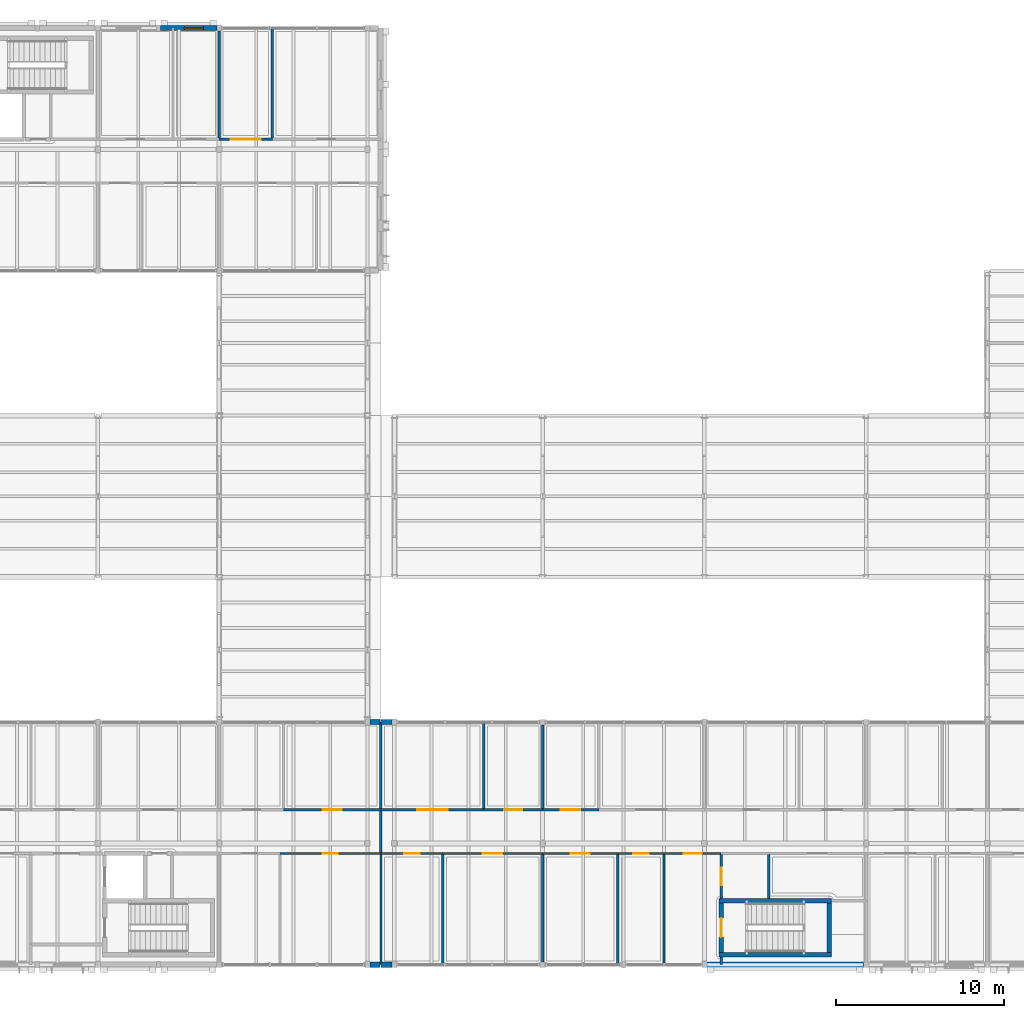
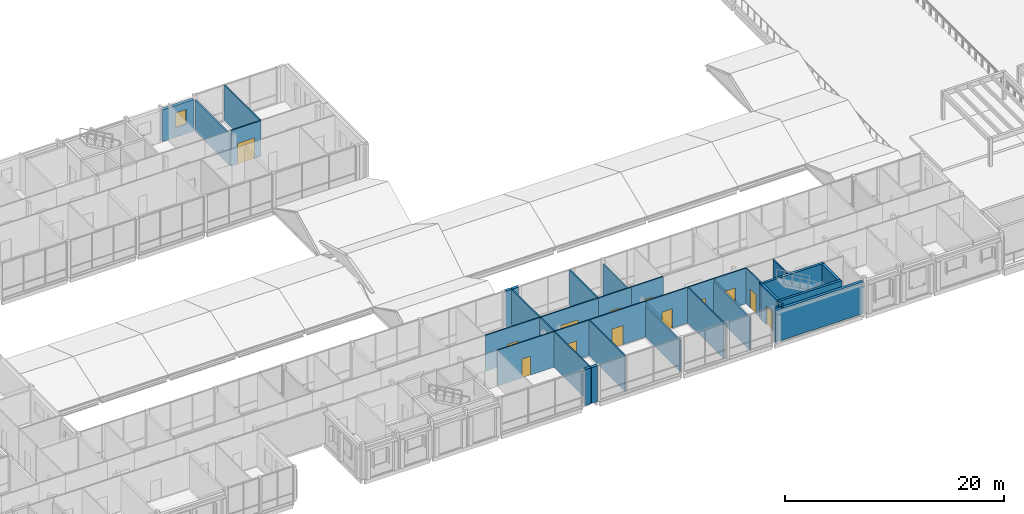
# One storey, part 89 of 115: 35 walls, 13 doors, 1 window, 14 openings.
"""IFC4 building model written with IfcOpenShell, lengths in metres."""

from ifc_helpers import new_model, si_unit, direction, frame, frame_2d, origin, place, context, subcontext, project, spatial, rectangle, extrude, material, layer, layer_set, type_object, element, fill, save


model = new_model("IFC4")

# Units and contexts
model_context = context("Model", 3, precision=1e-05, world=origin(), true_north=direction((0.0, 1.0)))
body_context = subcontext(model_context, "Body", "Model", "MODEL_VIEW")
ifc_project = project(units=[si_unit("LENGTHUNIT", "METRE"), si_unit("AREAUNIT", "SQUARE_METRE"), si_unit("VOLUMEUNIT", "CUBIC_METRE"), si_unit("PLANEANGLEUNIT", "RADIAN"), si_unit("MASSUNIT", "GRAM", prefix="KILO")], contexts=[model_context])

# Site, building, storey
site_placement = place(None, origin())
site = spatial("IfcSite", under=ifc_project, at=site_placement, CompositionType="ELEMENT")
building_placement = place(site_placement, origin())
building = spatial("IfcBuilding", under=site, at=building_placement, Name="Hawrajan Terrace Health Centre", CompositionType="ELEMENT")
storey_placement = place(building_placement, frame((0.0, 0.0, 9.0)))
storey = spatial("IfcBuildingStorey", under=building, at=storey_placement, Name="L02", CompositionType="ELEMENT", Elevation=9.0)

# Wall, opening, window
ifc_material_1 = material(Name="Precast concrete C40/50", Category="concrete")
ifc_layer_1 = layer(ifc_material_1, 0.31005859375)
ifc_layer_set_1 = layer_set([ifc_layer_1], Name="Precast concrete C40/50")
wall_type_1 = type_object("IfcWallType", Name="ArtDecoFacadeWall_310", PredefinedType="SOLIDWALL", material=ifc_layer_set_1)
wall_1_placement = place(storey_placement, frame((58.719970703125, 59.800048828125, 0.0), z_axis=(0.0, 0.0, 1.0), x_axis=(1.0, 0.0, 0.0)))
wall_1 = element("IfcWall", 1, at=wall_1_placement, inside=storey, type_object=wall_type_1, Name="Exterior wall EW-L02-H07-07-2", PredefinedType="SOLIDWALL", context=body_context, shape_type="SweptSolid", body=[
    extrude(rectangle(XDim=3.340087890625, YDim=0.31005859375, at=frame_2d((1.669921875, 0.0))), origin(), (0.0, 0.0, 1.0), 3.52001953125),
])
opening_1_placement = place(wall_1_placement, frame((1.41845703125, 0.0, 1.050048828125)))
opening_1 = element("IfcOpeningElement", 2, at=opening_1_placement, cuts=wall_1, Name="Opening W-L02-150", PredefinedType="OPENING", context=body_context, shape_type="SweptSolid", body=[
    extrude(rectangle(XDim=1.1201171875, YDim=1.64990234375, at=frame_2d((0.56005859375, 0.824951171875))), frame((0.0, 0.1650390625, 0.0), z_axis=(0.0, -1.0, 0.0), x_axis=(1.0, 0.0, 0.0)), (0.0, 0.0, 1.0), 0.330078125),
])
ifc_material_2 = material(Name="Anodized bronze frame with double low-E glazing", Category="glass")
window_type = type_object("IfcWindowType", Name="FacadeWindow_1120x1650", PartitioningType="SINGLE_PANEL", PredefinedType="WINDOW", material=ifc_material_2)
window_placement = place(opening_1_placement, origin())
window = element("IfcWindow", 3, at=window_placement, inside=storey, type_object=window_type, Name="Window W-L02-150", OverallHeight=1.64990234375, OverallWidth=1.1201171875, PartitioningType="SINGLE_PANEL", PredefinedType="WINDOW", context=body_context, shape_type="SweptSolid", body=[
    extrude(rectangle(XDim=1.1201171875, YDim=1.64990234375, at=frame_2d((0.56005859375, 0.824951171875))), frame((0.0, 0.030029296875, 0.0), z_axis=(0.0, -1.0, 0.0), x_axis=(1.0, 0.0, 0.0)), (0.0, 0.0, 1.0), 0.06005859375),
])
fill(opening_1, window)

# Walls
wall_2_placement = place(storey_placement, frame((71.139892578125, 4.199951171875, 0.0), z_axis=(0.0, 0.0, 1.0), x_axis=(1.0, 0.0, 0.0)))
element("IfcWall", 4, at=wall_2_placement, inside=storey, type_object=wall_type_1, Name="Exterior wall EW-L02-H08-00-2", PredefinedType="SOLIDWALL", context=body_context, shape_type="SweptSolid", body=[
    extrude(rectangle(XDim=0.614990234375, YDim=0.31005859375, at=frame_2d((0.3076171875, 0.0))), origin(), (0.0, 0.0, 1.0), 3.989990234375),
])
wall_3_placement = place(storey_placement, frame((71.139892578125, 18.60009765625, 0.0), z_axis=(0.0, 0.0, 1.0), x_axis=(1.0, 0.0, 0.0)))
element("IfcWall", 5, at=wall_3_placement, inside=storey, type_object=wall_type_1, Name="Exterior wall EW-L02-H08-02-2", PredefinedType="SOLIDWALL", context=body_context, shape_type="SweptSolid", body=[
    extrude(rectangle(XDim=0.59521484375, YDim=0.31005859375, at=frame_2d((0.297607421875, 0.0))), origin(), (0.0, 0.0, 1.0), 3.989990234375),
])
for number, where, z_axis, x_axis, name in (
    (6, (71.804931640625, 4.199951171875, 0.0), (0.0, 0.0, 1.0), (1.0, 0.0, 0.0), "Exterior wall EW-L02-H09-00-1"),
    (7, (71.804931640625, 18.60009765625, 0.0), (0.0, 0.0, 1.0), (1.0, 0.0, 0.0), "Exterior wall EW-L02-H09-02-1"),
):
    element("IfcWall", number, at=place(storey_placement, frame(where, z_axis=z_axis, x_axis=x_axis)), inside=storey, type_object=wall_type_1, Name=name, PredefinedType="SOLIDWALL", context=body_context, shape_type="SweptSolid", body=[
        extrude(rectangle(XDim=0.655029296875, YDim=0.31005859375, at=frame_2d((0.32763671875, 0.0))), origin(), (0.0, 0.0, 1.0), 3.989990234375),
    ])
wall_4_placement = place(storey_placement, frame((91.139892578125, 4.199951171875, 0.0), z_axis=(0.0, 0.0, 1.0), x_axis=(1.0, 0.0, 0.0)))
element("IfcWall", 8, at=wall_4_placement, inside=storey, type_object=wall_type_1, Name="Exterior wall EW-L02-H11-00-1", PredefinedType="SOLIDWALL", context=body_context, shape_type="SweptSolid", body=[
    extrude(rectangle(XDim=9.300048828125, YDim=0.31005859375, at=frame_2d((4.64990234375, 0.0))), origin(), (0.0, 0.0, 1.0), 3.530029296875),
])
ifc_material_3 = material(Name="Gypsum board on acoustic stud framing")
ifc_layer_2 = layer(ifc_material_3, 0.139892578125)
ifc_layer_set_2 = layer_set([ifc_layer_2], Name="Gypsum board on acoustic stud framing")
wall_type_2 = type_object("IfcWallType", Name="ClinicalAcousticWall_140", PredefinedType="PARTITIONING", material=ifc_layer_set_2)
wall_5_placement = place(storey_placement, frame((62.199951171875, 53.27001953125, 0.0), z_axis=(0.0, 0.0, 1.0), x_axis=(0.0, 1.0, 0.0)))
element("IfcWall", 9, at=wall_5_placement, inside=storey, type_object=wall_type_2, Name="Interior wall IW-L02-1113", PredefinedType="PARTITIONING", context=body_context, shape_type="SweptSolid", body=[
    extrude(rectangle(XDim=6.35009765625, YDim=0.139892578125, at=frame_2d((3.175048828125, 0.0))), origin(), (0.0, 0.0, 1.0), 3.52001953125),
])

# Wall, opening, door
wall_6_placement = place(storey_placement, frame((62.199951171875, 53.199951171875, 0.0), z_axis=(0.0, 0.0, 1.0), x_axis=(1.0, 0.0, 0.0)))
wall_6 = element("IfcWall", 10, at=wall_6_placement, inside=storey, type_object=wall_type_2, Name="Interior wall IW-L02-1114", PredefinedType="PARTITIONING", context=body_context, shape_type="SweptSolid", body=[
    extrude(rectangle(XDim=3.156982421875, YDim=0.139892578125, at=frame_2d((1.57861328125, 0.0))), origin(), (0.0, 0.0, 1.0), 3.9599609375),
])
opening_2_placement = place(wall_6_placement, frame((0.678466796875, 0.0, 0.0)))
opening_2 = element("IfcOpeningElement", 11, at=opening_2_placement, cuts=wall_6, Name="Opening D-L02-503", PredefinedType="OPENING", context=body_context, shape_type="SweptSolid", body=[
    extrude(rectangle(XDim=1.800048828125, YDim=2.300048828125, at=frame_2d((0.89990234375, 1.14990234375))), frame((0.0, 0.079833984375, 0.0), z_axis=(0.0, -1.0, 0.0), x_axis=(1.0, 0.0, 0.0)), (0.0, 0.0, 1.0), 0.159912109375),
])
ifc_material_4 = material(Name="Hardwood acoustic clinical door leaf and frame", Category="wood")
door_type_1 = type_object("IfcDoorType", Name="EducationHallDoor_1800x2300", OperationType="DOUBLE_DOOR_SINGLE_SWING", PredefinedType="DOOR", material=ifc_material_4)
door_1_placement = place(opening_2_placement, origin())
door_1 = element("IfcDoor", 12, at=door_1_placement, inside=storey, type_object=door_type_1, Name="Interior door D-L02-503", OperationType="DOUBLE_DOOR_SINGLE_SWING", OverallHeight=2.300048828125, OverallWidth=1.800048828125, PredefinedType="DOOR", context=body_context, shape_type="SweptSolid", body=[
    extrude(rectangle(XDim=1.800048828125, YDim=2.300048828125, at=frame_2d((0.89990234375, 1.14990234375))), frame((0.0, 0.02490234375, 0.0), z_axis=(0.0, -1.0, 0.0), x_axis=(1.0, 0.0, 0.0)), (0.0, 0.0, 1.0), 0.050048828125),
])
fill(opening_2, door_1)

# Wall
wall_7_placement = place(storey_placement, frame((65.35693359375, 53.27001953125, 0.0), z_axis=(0.0, 0.0, 1.0), x_axis=(0.0, 1.0, 0.0)))
element("IfcWall", 13, at=wall_7_placement, inside=storey, type_object=wall_type_2, Name="Interior wall IW-L02-1115", PredefinedType="PARTITIONING", context=body_context, shape_type="SweptSolid", body=[
    extrude(rectangle(XDim=6.530029296875, YDim=0.139892578125, at=frame_2d((3.26513671875, 0.0))), origin(), (0.0, 0.0, 1.0), 3.9599609375),
])

# Wall, opening, door
wall_8_placement = place(storey_placement, frame((66.01904296875, 13.39990234375, 0.0), z_axis=(0.0, 0.0, 1.0), x_axis=(1.0, 0.0, 0.0)))
wall_8 = element("IfcWall", 14, at=wall_8_placement, inside=storey, type_object=wall_type_2, Name="Interior wall IW-L02-1120", PredefinedType="PARTITIONING", context=body_context, shape_type="SweptSolid", body=[
    extrude(rectangle(XDim=5.77587890625, YDim=0.139892578125, at=frame_2d((2.887939453125, 0.0))), origin(), (0.0, 0.0, 1.0), 3.9599609375),
])
opening_3_placement = place(wall_8_placement, frame((2.327880859375, 0.0, 0.0)))
opening_3 = element("IfcOpeningElement", 15, at=opening_3_placement, cuts=wall_8, Name="Opening D-L02-510", PredefinedType="OPENING", context=body_context, shape_type="SweptSolid", body=[
    extrude(rectangle(XDim=1.1201171875, YDim=2.14990234375, at=frame_2d((0.56005859375, 1.074951171875))), frame((0.0, 0.079833984375, 0.0), z_axis=(0.0, -1.0, 0.0), x_axis=(1.0, 0.0, 0.0)), (0.0, 0.0, 1.0), 0.159912109375),
])
door_type_2 = type_object("IfcDoorType", Name="DentalSurgeryDoor_1120x2150", OperationType="NOTDEFINED", PredefinedType="DOOR", material=ifc_material_4)
door_2_placement = place(opening_3_placement, origin())
door_2 = element("IfcDoor", 16, at=door_2_placement, inside=storey, type_object=door_type_2, Name="Interior door D-L02-510", OperationType="SINGLE_SWING_RIGHT", OverallHeight=2.14990234375, OverallWidth=1.1201171875, PredefinedType="DOOR", context=body_context, shape_type="SweptSolid", body=[
    extrude(rectangle(XDim=1.1201171875, YDim=2.14990234375, at=frame_2d((0.56005859375, 1.074951171875))), frame((0.0, 0.02490234375, 0.0), z_axis=(0.0, -1.0, 0.0), x_axis=(1.0, 0.0, 0.0)), (0.0, 0.0, 1.0), 0.050048828125),
])
fill(opening_3, door_2)

wall_9_placement = place(storey_placement, frame((71.804931640625, 10.800048828125, 0.0), z_axis=(0.0, 0.0, 1.0), x_axis=(1.0, 0.0, 0.0)))
wall_9 = element("IfcWall", 17, at=wall_9_placement, inside=storey, type_object=wall_type_2, Name="Interior wall IW-L02-1123", PredefinedType="PARTITIONING", context=body_context, shape_type="SweptSolid", body=[
    extrude(rectangle(XDim=3.656005859375, YDim=0.139892578125, at=frame_2d((1.828125, 0.0))), origin(), (0.0, 0.0, 1.0), 3.9599609375),
])
opening_4_placement = place(wall_9_placement, frame((1.367919921875, 0.0, 0.0)))
opening_4 = element("IfcOpeningElement", 18, at=opening_4_placement, cuts=wall_9, Name="Opening D-L02-511", PredefinedType="OPENING", context=body_context, shape_type="SweptSolid", body=[
    extrude(rectangle(XDim=0.919921875, YDim=2.10009765625, at=frame_2d((0.4599609375, 1.050048828125))), frame((0.0, 0.079833984375, 0.0), z_axis=(0.0, -1.0, 0.0), x_axis=(1.0, 0.0, 0.0)), (0.0, 0.0, 1.0), 0.159912109375),
])
door_type_3 = type_object("IfcDoorType", Name="StaffOfficeDoor_920x2100", OperationType="NOTDEFINED", PredefinedType="DOOR", material=ifc_material_4)
door_3_placement = place(opening_4_placement, origin())
door_3 = element("IfcDoor", 19, at=door_3_placement, inside=storey, type_object=door_type_3, Name="Interior door D-L02-511", OperationType="SINGLE_SWING_LEFT", OverallHeight=2.10009765625, OverallWidth=0.919921875, PredefinedType="DOOR", context=body_context, shape_type="SweptSolid", body=[
    extrude(rectangle(XDim=0.919921875, YDim=2.10009765625, at=frame_2d((0.4599609375, 1.050048828125))), frame((0.0, 0.02490234375, 0.0), z_axis=(0.0, -1.0, 0.0), x_axis=(1.0, 0.0, 0.0)), (0.0, 0.0, 1.0), 0.050048828125),
])
fill(opening_4, door_3)

wall_10_placement = place(storey_placement, frame((71.804931640625, 13.39990234375, 0.0), z_axis=(0.0, 0.0, 1.0), x_axis=(1.0, 0.0, 0.0)))
wall_10 = element("IfcWall", 20, at=wall_10_placement, inside=storey, type_object=wall_type_2, Name="Interior wall IW-L02-1124", PredefinedType="PARTITIONING", context=body_context, shape_type="SweptSolid", body=[
    extrude(rectangle(XDim=6.10205078125, YDim=0.139892578125, at=frame_2d((3.051025390625, 0.0))), origin(), (0.0, 0.0, 1.0), 3.9599609375),
])
opening_5_placement = place(wall_10_placement, frame((2.15087890625, 0.0, 0.0)))
opening_5 = element("IfcOpeningElement", 21, at=opening_5_placement, cuts=wall_10, Name="Opening D-L02-513", PredefinedType="OPENING", context=body_context, shape_type="SweptSolid", body=[
    extrude(rectangle(XDim=1.800048828125, YDim=2.300048828125, at=frame_2d((0.89990234375, 1.14990234375))), frame((0.0, 0.079833984375, 0.0), z_axis=(0.0, -1.0, 0.0), x_axis=(1.0, 0.0, 0.0)), (0.0, 0.0, 1.0), 0.159912109375),
])
door_4_placement = place(opening_5_placement, origin())
door_4 = element("IfcDoor", 22, at=door_4_placement, inside=storey, type_object=door_type_1, Name="Interior door D-L02-513", OperationType="DOUBLE_DOOR_SINGLE_SWING", OverallHeight=2.300048828125, OverallWidth=1.800048828125, PredefinedType="DOOR", context=body_context, shape_type="SweptSolid", body=[
    extrude(rectangle(XDim=1.800048828125, YDim=2.300048828125, at=frame_2d((0.89990234375, 1.14990234375))), frame((0.0, 0.02490234375, 0.0), z_axis=(0.0, -1.0, 0.0), x_axis=(1.0, 0.0, 0.0)), (0.0, 0.0, 1.0), 0.050048828125),
])
fill(opening_5, door_4)

# Wall
wall_11_placement = place(storey_placement, frame((75.4609375, 4.199951171875, 0.0), z_axis=(0.0, 0.0, 1.0), x_axis=(0.0, 1.0, 0.0)))
element("IfcWall", 23, at=wall_11_placement, inside=storey, type_object=wall_type_2, Name="Interior wall IW-L02-1125", PredefinedType="PARTITIONING", context=body_context, shape_type="SweptSolid", body=[
    extrude(rectangle(XDim=6.530029296875, YDim=0.139892578125, at=frame_2d((3.26513671875, 0.0))), origin(), (0.0, 0.0, 1.0), 3.9599609375),
])

# Wall, opening, door
wall_12_placement = place(storey_placement, frame((75.4609375, 10.800048828125, 0.0), z_axis=(0.0, 0.0, 1.0), x_axis=(1.0, 0.0, 0.0)))
wall_12 = element("IfcWall", 24, at=wall_12_placement, inside=storey, type_object=wall_type_2, Name="Interior wall IW-L02-1126", PredefinedType="PARTITIONING", context=body_context, shape_type="SweptSolid", body=[
    extrude(rectangle(XDim=5.93896484375, YDim=0.139892578125, at=frame_2d((2.969482421875, 0.0))), origin(), (0.0, 0.0, 1.0), 3.9599609375),
])
opening_6_placement = place(wall_12_placement, frame((2.389404296875, 0.0, 0.0)))
opening_6 = element("IfcOpeningElement", 25, at=opening_6_placement, cuts=wall_12, Name="Opening D-L02-512", PredefinedType="OPENING", context=body_context, shape_type="SweptSolid", body=[
    extrude(rectangle(XDim=1.159912109375, YDim=2.10009765625, at=frame_2d((0.580078125, 1.050048828125))), frame((0.0, 0.079833984375, 0.0), z_axis=(0.0, -1.0, 0.0), x_axis=(1.0, 0.0, 0.0)), (0.0, 0.0, 1.0), 0.159912109375),
])
door_type_4 = type_object("IfcDoorType", Name="ConsultDoor_1160x2100", OperationType="NOTDEFINED", PredefinedType="DOOR", material=ifc_material_4)
door_5_placement = place(opening_6_placement, origin())
door_5 = element("IfcDoor", 26, at=door_5_placement, inside=storey, type_object=door_type_4, Name="Interior door D-L02-512", OperationType="SINGLE_SWING_RIGHT", OverallHeight=2.10009765625, OverallWidth=1.159912109375, PredefinedType="DOOR", context=body_context, shape_type="SweptSolid", body=[
    extrude(rectangle(XDim=1.159912109375, YDim=2.10009765625, at=frame_2d((0.580078125, 1.050048828125))), frame((0.0, 0.02490234375, 0.0), z_axis=(0.0, -1.0, 0.0), x_axis=(1.0, 0.0, 0.0)), (0.0, 0.0, 1.0), 0.050048828125),
])
fill(opening_6, door_5)

# Wall
wall_13_placement = place(storey_placement, frame((77.906982421875, 13.469970703125, 0.0), z_axis=(0.0, 0.0, 1.0), x_axis=(0.0, 1.0, 0.0)))
element("IfcWall", 27, at=wall_13_placement, inside=storey, type_object=wall_type_2, Name="Interior wall IW-L02-1127", PredefinedType="PARTITIONING", context=body_context, shape_type="SweptSolid", body=[
    extrude(rectangle(XDim=5.130126953125, YDim=0.139892578125, at=frame_2d((2.56494140625, 0.0))), origin(), (0.0, 0.0, 1.0), 3.9599609375),
])

# Wall, opening, door
wall_14_placement = place(storey_placement, frame((77.906982421875, 13.39990234375, 0.0), z_axis=(0.0, 0.0, 1.0), x_axis=(1.0, 0.0, 0.0)))
wall_14 = element("IfcWall", 28, at=wall_14_placement, inside=storey, type_object=wall_type_2, Name="Interior wall IW-L02-1128", PredefinedType="PARTITIONING", context=body_context, shape_type="SweptSolid", body=[
    extrude(rectangle(XDim=3.492919921875, YDim=0.139892578125, at=frame_2d((1.74658203125, 0.0))), origin(), (0.0, 0.0, 1.0), 3.9599609375),
])
opening_7_placement = place(wall_14_placement, frame((1.2265625, 0.0, 0.0)))
opening_7 = element("IfcOpeningElement", 29, at=opening_7_placement, cuts=wall_14, Name="Opening D-L02-514", PredefinedType="OPENING", context=body_context, shape_type="SweptSolid", body=[
    extrude(rectangle(XDim=1.0400390625, YDim=2.10009765625, at=frame_2d((0.52001953125, 1.050048828125))), frame((0.0, 0.079833984375, 0.0), z_axis=(0.0, -1.0, 0.0), x_axis=(1.0, 0.0, 0.0)), (0.0, 0.0, 1.0), 0.159912109375),
])
door_type_5 = type_object("IfcDoorType", Name="ConsultDoor_1040x2100", OperationType="NOTDEFINED", PredefinedType="DOOR", material=ifc_material_4)
door_6_placement = place(opening_7_placement, origin())
door_6 = element("IfcDoor", 30, at=door_6_placement, inside=storey, type_object=door_type_5, Name="Interior door D-L02-514", OperationType="SINGLE_SWING_RIGHT", OverallHeight=2.10009765625, OverallWidth=1.0400390625, PredefinedType="DOOR", context=body_context, shape_type="SweptSolid", body=[
    extrude(rectangle(XDim=1.0400390625, YDim=2.10009765625, at=frame_2d((0.52001953125, 1.050048828125))), frame((0.0, 0.02490234375, 0.0), z_axis=(0.0, -1.0, 0.0), x_axis=(1.0, 0.0, 0.0)), (0.0, 0.0, 1.0), 0.050048828125),
])
fill(opening_7, door_6)

# Wall
wall_15_placement = place(storey_placement, frame((81.39990234375, 4.360107421875, 0.0), z_axis=(0.0, 0.0, 1.0), x_axis=(0.0, 1.0, 0.0)))
element("IfcWall", 31, at=wall_15_placement, inside=storey, type_object=wall_type_2, Name="Interior wall IW-L02-1129", PredefinedType="PARTITIONING", context=body_context, shape_type="SweptSolid", body=[
    extrude(rectangle(XDim=6.369873046875, YDim=0.139892578125, at=frame_2d((3.18505859375, 0.0))), origin(), (0.0, 0.0, 1.0), 3.469970703125),
])

# Wall, opening, door
wall_16_placement = place(storey_placement, frame((81.39990234375, 10.800048828125, 0.0), z_axis=(0.0, 0.0, 1.0), x_axis=(1.0, 0.0, 0.0)))
wall_16 = element("IfcWall", 32, at=wall_16_placement, inside=storey, type_object=wall_type_2, Name="Interior wall IW-L02-1130", PredefinedType="PARTITIONING", context=body_context, shape_type="SweptSolid", body=[
    extrude(rectangle(XDim=4.45703125, YDim=0.139892578125, at=frame_2d((2.228515625, 0.0))), origin(), (0.0, 0.0, 1.0), 3.9599609375),
])
opening_8_placement = place(wall_16_placement, frame((1.66845703125, 0.0, 0.0)))
opening_8 = element("IfcOpeningElement", 33, at=opening_8_placement, cuts=wall_16, Name="Opening D-L02-515", PredefinedType="OPENING", context=body_context, shape_type="SweptSolid", body=[
    extrude(rectangle(XDim=1.1201171875, YDim=2.14990234375, at=frame_2d((0.56005859375, 1.074951171875))), frame((0.0, 0.079833984375, 0.0), z_axis=(0.0, -1.0, 0.0), x_axis=(1.0, 0.0, 0.0)), (0.0, 0.0, 1.0), 0.159912109375),
])
door_7_placement = place(opening_8_placement, origin())
door_7 = element("IfcDoor", 34, at=door_7_placement, inside=storey, type_object=door_type_2, Name="Interior door D-L02-515", OperationType="SINGLE_SWING_LEFT", OverallHeight=2.14990234375, OverallWidth=1.1201171875, PredefinedType="DOOR", context=body_context, shape_type="SweptSolid", body=[
    extrude(rectangle(XDim=1.1201171875, YDim=2.14990234375, at=frame_2d((0.56005859375, 1.074951171875))), frame((0.0, 0.02490234375, 0.0), z_axis=(0.0, -1.0, 0.0), x_axis=(1.0, 0.0, 0.0)), (0.0, 0.0, 1.0), 0.050048828125),
])
fill(opening_8, door_7)

# Wall
wall_17_placement = place(storey_placement, frame((81.39990234375, 13.469970703125, 0.0), z_axis=(0.0, 0.0, 1.0), x_axis=(0.0, 1.0, 0.0)))
element("IfcWall", 35, at=wall_17_placement, inside=storey, type_object=wall_type_2, Name="Interior wall IW-L02-1131", PredefinedType="PARTITIONING", context=body_context, shape_type="SweptSolid", body=[
    extrude(rectangle(XDim=4.969970703125, YDim=0.139892578125, at=frame_2d((2.48486328125, 0.0))), origin(), (0.0, 0.0, 1.0), 3.469970703125),
])

# Wall, opening, door
wall_18_placement = place(storey_placement, frame((81.39990234375, 13.39990234375, 0.0), z_axis=(0.0, 0.0, 1.0), x_axis=(1.0, 0.0, 0.0)))
wall_18 = element("IfcWall", 36, at=wall_18_placement, inside=storey, type_object=wall_type_2, Name="Interior wall IW-L02-1132", PredefinedType="PARTITIONING", context=body_context, shape_type="SweptSolid", body=[
    extrude(rectangle(XDim=3.3310546875, YDim=0.139892578125, at=frame_2d((1.66552734375, 0.0))), origin(), (0.0, 0.0, 1.0), 3.9599609375),
])
opening_9_placement = place(wall_18_placement, frame((1.08544921875, 0.0, 0.0)))
opening_9 = element("IfcOpeningElement", 37, at=opening_9_placement, cuts=wall_18, Name="Opening D-L02-517", PredefinedType="OPENING", context=body_context, shape_type="SweptSolid", body=[
    extrude(rectangle(XDim=1.159912109375, YDim=2.10009765625, at=frame_2d((0.580078125, 1.050048828125))), frame((0.0, 0.079833984375, 0.0), z_axis=(0.0, -1.0, 0.0), x_axis=(1.0, 0.0, 0.0)), (0.0, 0.0, 1.0), 0.159912109375),
])
door_8_placement = place(opening_9_placement, origin())
door_8 = element("IfcDoor", 38, at=door_8_placement, inside=storey, type_object=door_type_4, Name="Interior door D-L02-517", OperationType="SINGLE_SWING_LEFT", OverallHeight=2.10009765625, OverallWidth=1.159912109375, PredefinedType="DOOR", context=body_context, shape_type="SweptSolid", body=[
    extrude(rectangle(XDim=1.159912109375, YDim=2.10009765625, at=frame_2d((0.580078125, 1.050048828125))), frame((0.0, 0.02490234375, 0.0), z_axis=(0.0, -1.0, 0.0), x_axis=(1.0, 0.0, 0.0)), (0.0, 0.0, 1.0), 0.050048828125),
])
fill(opening_9, door_8)

# Wall
wall_19_placement = place(storey_placement, frame((85.85693359375, 4.199951171875, 0.0), z_axis=(0.0, 0.0, 1.0), x_axis=(0.0, 1.0, 0.0)))
element("IfcWall", 39, at=wall_19_placement, inside=storey, type_object=wall_type_2, Name="Interior wall IW-L02-1135", PredefinedType="PARTITIONING", context=body_context, shape_type="SweptSolid", body=[
    extrude(rectangle(XDim=6.530029296875, YDim=0.139892578125, at=frame_2d((3.26513671875, 0.0))), origin(), (0.0, 0.0, 1.0), 3.9599609375),
])

# Wall, opening, door
wall_20_placement = place(storey_placement, frame((85.85693359375, 10.800048828125, 0.0), z_axis=(0.0, 0.0, 1.0), x_axis=(1.0, 0.0, 0.0)))
wall_20 = element("IfcWall", 40, at=wall_20_placement, inside=storey, type_object=wall_type_2, Name="Interior wall IW-L02-1136", PredefinedType="PARTITIONING", context=body_context, shape_type="SweptSolid", body=[
    extrude(rectangle(XDim=2.7431640625, YDim=0.139892578125, at=frame_2d((1.37158203125, 0.0))), origin(), (0.0, 0.0, 1.0), 3.9599609375),
])
opening_10_placement = place(wall_20_placement, frame((0.91162109375, 0.0, 0.0)))
opening_10 = element("IfcOpeningElement", 41, at=opening_10_placement, cuts=wall_20, Name="Opening D-L02-516", PredefinedType="OPENING", context=body_context, shape_type="SweptSolid", body=[
    extrude(rectangle(XDim=0.919921875, YDim=2.10009765625, at=frame_2d((0.4599609375, 1.050048828125))), frame((0.0, 0.079833984375, 0.0), z_axis=(0.0, -1.0, 0.0), x_axis=(1.0, 0.0, 0.0)), (0.0, 0.0, 1.0), 0.159912109375),
])
door_9_placement = place(opening_10_placement, origin())
door_9 = element("IfcDoor", 42, at=door_9_placement, inside=storey, type_object=door_type_3, Name="Interior door D-L02-516", OperationType="SINGLE_SWING_RIGHT", OverallHeight=2.10009765625, OverallWidth=0.919921875, PredefinedType="DOOR", context=body_context, shape_type="SweptSolid", body=[
    extrude(rectangle(XDim=0.919921875, YDim=2.10009765625, at=frame_2d((0.4599609375, 1.050048828125))), frame((0.0, 0.02490234375, 0.0), z_axis=(0.0, -1.0, 0.0), x_axis=(1.0, 0.0, 0.0)), (0.0, 0.0, 1.0), 0.050048828125),
])
fill(opening_10, door_9)

# Wall
wall_21_placement = place(storey_placement, frame((88.60009765625, 4.199951171875, 0.0), z_axis=(0.0, 0.0, 1.0), x_axis=(0.0, 1.0, 0.0)))
element("IfcWall", 43, at=wall_21_placement, inside=storey, type_object=wall_type_2, Name="Interior wall IW-L02-1137", PredefinedType="PARTITIONING", context=body_context, shape_type="SweptSolid", body=[
    extrude(rectangle(XDim=6.530029296875, YDim=0.139892578125, at=frame_2d((3.26513671875, 0.0))), origin(), (0.0, 0.0, 1.0), 3.6298828125),
])

# Wall, opening, door
wall_22_placement = place(storey_placement, frame((88.60009765625, 10.800048828125, 0.0), z_axis=(0.0, 0.0, 1.0), x_axis=(1.0, 0.0, 0.0)))
wall_22 = element("IfcWall", 44, at=wall_22_placement, inside=storey, type_object=wall_type_2, Name="Interior wall IW-L02-1138", PredefinedType="PARTITIONING", context=body_context, shape_type="SweptSolid", body=[
    extrude(rectangle(XDim=3.39990234375, YDim=0.139892578125, at=frame_2d((1.699951171875, 0.0))), origin(), (0.0, 0.0, 1.0), 3.9599609375),
])
opening_11_placement = place(wall_22_placement, frame((1.169921875, 0.0, 0.0)))
opening_11 = element("IfcOpeningElement", 45, at=opening_11_placement, cuts=wall_22, Name="Opening D-L02-450", PredefinedType="OPENING", context=body_context, shape_type="SweptSolid", body=[
    extrude(rectangle(XDim=1.06005859375, YDim=2.14990234375, at=frame_2d((0.530029296875, 1.074951171875))), frame((0.0, 0.079833984375, 0.0), z_axis=(0.0, -1.0, 0.0), x_axis=(1.0, 0.0, 0.0)), (0.0, 0.0, 1.0), 0.159912109375),
])
door_type_6 = type_object("IfcDoorType", Name="MentalHealthDoor_1060x2150", OperationType="NOTDEFINED", PredefinedType="DOOR", material=ifc_material_4)
door_10_placement = place(opening_11_placement, origin())
door_10 = element("IfcDoor", 46, at=door_10_placement, inside=storey, type_object=door_type_6, Name="Interior door D-L02-450", OperationType="SINGLE_SWING_RIGHT", OverallHeight=2.14990234375, OverallWidth=1.06005859375, PredefinedType="DOOR", context=body_context, shape_type="SweptSolid", body=[
    extrude(rectangle(XDim=1.06005859375, YDim=2.14990234375, at=frame_2d((0.530029296875, 1.074951171875))), frame((0.0, 0.02490234375, 0.0), z_axis=(0.0, -1.0, 0.0), x_axis=(1.0, 0.0, 0.0)), (0.0, 0.0, 1.0), 0.050048828125),
])
fill(opening_11, door_10)

wall_23_placement = place(storey_placement, frame((92.0, 8.139892578125, 0.0), z_axis=(0.0, 0.0, 1.0), x_axis=(0.0, 1.0, 0.0)))
wall_23 = element("IfcWall", 47, at=wall_23_placement, inside=storey, type_object=wall_type_2, Name="Interior wall IW-L02-1141", PredefinedType="PARTITIONING", context=body_context, shape_type="SweptSolid", body=[
    extrude(rectangle(XDim=2.590087890625, YDim=0.139892578125, at=frame_2d((1.294921875, 0.0))), origin(), (0.0, 0.0, 1.0), 3.9599609375),
])
opening_12_placement = place(wall_23_placement, frame((0.77490234375, 0.0, 0.0)))
opening_12 = element("IfcOpeningElement", 48, at=opening_12_placement, cuts=wall_23, Name="Opening D-L02-519", PredefinedType="OPENING", context=body_context, shape_type="SweptSolid", body=[
    extrude(rectangle(XDim=1.0400390625, YDim=2.10009765625, at=frame_2d((0.52001953125, 1.050048828125))), frame((0.0, 0.079833984375, 0.0), z_axis=(0.0, -1.0, 0.0), x_axis=(1.0, 0.0, 0.0)), (0.0, 0.0, 1.0), 0.159912109375),
])
door_11_placement = place(opening_12_placement, origin())
door_11 = element("IfcDoor", 49, at=door_11_placement, inside=storey, type_object=door_type_5, Name="Interior door D-L02-519", OperationType="SINGLE_SWING_LEFT", OverallHeight=2.10009765625, OverallWidth=1.0400390625, PredefinedType="DOOR", context=body_context, shape_type="SweptSolid", body=[
    extrude(rectangle(XDim=1.0400390625, YDim=2.10009765625, at=frame_2d((0.52001953125, 1.050048828125))), frame((0.0, 0.02490234375, 0.0), z_axis=(0.0, -1.0, 0.0), x_axis=(1.0, 0.0, 0.0)), (0.0, 0.0, 1.0), 0.050048828125),
])
fill(opening_12, door_11)

# Walls
wall_24_placement = place(storey_placement, frame((94.8291015625, 8.139892578125, 0.0), z_axis=(0.0, 0.0, 1.0), x_axis=(0.0, 1.0, 0.0)))
element("IfcWall", 50, at=wall_24_placement, inside=storey, type_object=wall_type_2, Name="Interior wall IW-L02-1143", PredefinedType="PARTITIONING", context=body_context, shape_type="SweptSolid", body=[
    extrude(rectangle(XDim=2.590087890625, YDim=0.139892578125, at=frame_2d((1.294921875, 0.0))), origin(), (0.0, 0.0, 1.0), 3.9599609375),
])
ifc_material_5 = material(Name="Concrete C40/50", Category="concrete")
ifc_layer_3 = layer(ifc_material_5, 0.260009765625)
ifc_layer_set_3 = layer_set([ifc_layer_3], Name="Concrete C40/50")
wall_type_3 = type_object("IfcWallType", Name="CoreShearWall_RC260", PredefinedType="SHEAR", material=ifc_layer_set_3)
for number, where, z_axis, x_axis, name in (
    (51, (91.8701171875, 4.800048828125, 0.0), (0.0, 0.0, 1.0), (1.0, 0.0, 0.0), "Core shear wall SW-S5-L02-S"),
    (52, (91.8701171875, 8.0, 0.0), (0.0, 0.0, 1.0), (1.0, 0.0, 0.0), "Core shear wall SW-S5-L02-N"),
):
    element("IfcWall", number, at=place(storey_placement, frame(where, z_axis=z_axis, x_axis=x_axis)), inside=storey, type_object=wall_type_3, Name=name, PredefinedType="SHEAR", context=body_context, shape_type="SweptSolid", body=[
        extrude(rectangle(XDim=6.659912109375, YDim=0.260009765625, at=frame_2d((3.330078125, 0.0))), origin(), (0.0, 0.0, 1.0), 3.949951171875),
    ])

# Wall, opening, door
wall_25_placement = place(storey_placement, frame((92.0, 4.929931640625, 0.0), z_axis=(0.0, 0.0, 1.0), x_axis=(0.0, 1.0, 0.0)))
wall_25 = element("IfcWall", 53, at=wall_25_placement, inside=storey, type_object=wall_type_3, Name="Core shear wall SW-S5-L02-W", PredefinedType="SHEAR", context=body_context, shape_type="SweptSolid", body=[
    extrude(rectangle(XDim=2.940185546875, YDim=0.260009765625, at=frame_2d((1.47021484375, 0.0))), origin(), (0.0, 0.0, 1.0), 3.949951171875),
])
opening_13_placement = place(wall_25_placement, frame((0.909912109375, 0.0, 0.0)))
opening_13 = element("IfcOpeningElement", 54, at=opening_13_placement, cuts=wall_25, Name="Opening D-L02-435", PredefinedType="OPENING", context=body_context, shape_type="SweptSolid", body=[
    extrude(rectangle(XDim=1.1201171875, YDim=2.10009765625, at=frame_2d((0.56005859375, 1.050048828125))), frame((0.0, 0.139892578125, 0.0), z_axis=(0.0, -1.0, 0.0), x_axis=(1.0, 0.0, 0.0)), (0.0, 0.0, 1.0), 0.280029296875),
])
ifc_material_6 = material(Name="Timber-veneered acoustic fire-resisting door assembly", Category="wood")
door_type_7 = type_object("IfcDoorType", Name="CoreStairDoor_1120x2100", OperationType="NOTDEFINED", PredefinedType="DOOR", material=ifc_material_6)
door_12_placement = place(opening_13_placement, origin())
door_12 = element("IfcDoor", 55, at=door_12_placement, inside=storey, type_object=door_type_7, Name="Interior door D-L02-435", OperationType="SINGLE_SWING_LEFT", OverallHeight=2.10009765625, OverallWidth=1.1201171875, PredefinedType="DOOR", context=body_context, shape_type="SweptSolid", body=[
    extrude(rectangle(XDim=1.1201171875, YDim=2.10009765625, at=frame_2d((0.56005859375, 1.050048828125))), frame((0.0, 0.02490234375, 0.0), z_axis=(0.0, -1.0, 0.0), x_axis=(1.0, 0.0, 0.0)), (0.0, 0.0, 1.0), 0.050048828125),
])
fill(opening_13, door_12)

# Walls
wall_26_placement = place(storey_placement, frame((98.39990234375, 4.929931640625, 0.0), z_axis=(0.0, 0.0, 1.0), x_axis=(0.0, 1.0, 0.0)))
element("IfcWall", 56, at=wall_26_placement, inside=storey, type_object=wall_type_3, Name="Core shear wall SW-S5-L02-E", PredefinedType="SHEAR", context=body_context, shape_type="SweptSolid", body=[
    extrude(rectangle(XDim=2.940185546875, YDim=0.260009765625, at=frame_2d((1.47021484375, 0.0))), origin(), (0.0, 0.0, 1.0), 3.949951171875),
])
ifc_layer_4 = layer(ifc_material_3, 0.159912109375)
ifc_layer_set_4 = layer_set([ifc_layer_4], Name="Gypsum board on acoustic stud framing")
wall_type_4 = type_object("IfcWallType", Name="CorridorFireWall_160", PredefinedType="PARTITIONING", material=ifc_layer_set_4)
wall_27_placement = place(storey_placement, frame((71.794921875, 10.8701171875, 0.0), z_axis=(0.0, 0.0, 1.0), x_axis=(0.0, 1.0, 0.0)))
element("IfcWall", 57, at=wall_27_placement, inside=storey, type_object=wall_type_4, Name="Interior wall IW-L02-1229", PredefinedType="PARTITIONING", context=body_context, shape_type="SweptSolid", body=[
    extrude(rectangle(XDim=2.4599609375, YDim=0.159912109375, at=frame_2d((1.22998046875, 0.0))), origin(), (0.0, 0.0, 1.0), 3.9599609375),
])
wall_28_placement = place(storey_placement, frame((92.0, 4.199951171875, 0.0), z_axis=(0.0, 0.0, 1.0), x_axis=(0.0, 1.0, 0.0)))
element("IfcWall", 58, at=wall_28_placement, inside=storey, type_object=wall_type_4, Name="Interior wall IW-L02-1230", PredefinedType="PARTITIONING", context=body_context, shape_type="SweptSolid", body=[
    extrude(rectangle(XDim=0.4599609375, YDim=0.159912109375, at=frame_2d((0.22998046875, 0.0))), origin(), (0.0, 0.0, 1.0), 3.9599609375),
])
wall_29_placement = place(storey_placement, frame((71.794921875, 13.469970703125, 0.0), z_axis=(0.0, 0.0, 1.0), x_axis=(0.0, 1.0, 0.0)))
element("IfcWall", 59, at=wall_29_placement, inside=storey, type_object=wall_type_4, Name="Interior wall IW-L02-1259", PredefinedType="PARTITIONING", context=body_context, shape_type="SweptSolid", body=[
    extrude(rectangle(XDim=5.130126953125, YDim=0.159912109375, at=frame_2d((2.56494140625, 0.0))), origin(), (0.0, 0.0, 1.0), 3.9599609375),
])

# Wall, opening, door
ifc_material_7 = material(Name="Moisture-resistant board on stud framing")
ifc_layer_5 = layer(ifc_material_7, 0.1201171875)
ifc_layer_set_5 = layer_set([ifc_layer_5], Name="Moisture-resistant board on stud framing")
wall_type_5 = type_object("IfcWallType", Name="WetRoomPartition_120", PredefinedType="PLUMBINGWALL", material=ifc_layer_set_5)
wall_30_placement = place(storey_placement, frame((65.800048828125, 10.800048828125, 0.0), z_axis=(0.0, 0.0, 1.0), x_axis=(1.0, 0.0, 0.0)))
wall_30 = element("IfcWall", 60, at=wall_30_placement, inside=storey, type_object=wall_type_5, Name="Interior wall IW-L02-1118", PredefinedType="PLUMBINGWALL", context=body_context, shape_type="SweptSolid", body=[
    extrude(rectangle(XDim=5.994873046875, YDim=0.1201171875, at=frame_2d((2.99755859375, 0.0))), origin(), (0.0, 0.0, 1.0), 3.9599609375),
])
opening_14_placement = place(wall_30_placement, frame((2.547607421875, 0.0, 0.0)))
opening_14 = element("IfcOpeningElement", 61, at=opening_14_placement, cuts=wall_30, Name="Opening D-L02-466", PredefinedType="OPENING", context=body_context, shape_type="SweptSolid", body=[
    extrude(rectangle(XDim=0.89990234375, YDim=2.10009765625, at=frame_2d((0.449951171875, 1.050048828125))), frame((0.0, 0.070068359375, 0.0), z_axis=(0.0, -1.0, 0.0), x_axis=(1.0, 0.0, 0.0)), (0.0, 0.0, 1.0), 0.14013671875),
])
door_type_8 = type_object("IfcDoorType", Name="PatientWCDoor_900x2100", OperationType="NOTDEFINED", PredefinedType="DOOR", material=ifc_material_4)
door_13_placement = place(opening_14_placement, origin())
door_13 = element("IfcDoor", 62, at=door_13_placement, inside=storey, type_object=door_type_8, Name="Interior door D-L02-466", OperationType="SINGLE_SWING_RIGHT", OverallHeight=2.10009765625, OverallWidth=0.89990234375, PredefinedType="DOOR", context=body_context, shape_type="SweptSolid", body=[
    extrude(rectangle(XDim=0.89990234375, YDim=2.10009765625, at=frame_2d((0.449951171875, 1.050048828125))), frame((0.0, 0.02490234375, 0.0), z_axis=(0.0, -1.0, 0.0), x_axis=(1.0, 0.0, 0.0)), (0.0, 0.0, 1.0), 0.050048828125),
])
fill(opening_14, door_13)

# Wall
wall_31_placement = place(storey_placement, frame((71.794921875, 4.199951171875, 0.0), z_axis=(0.0, 0.0, 1.0), x_axis=(0.0, 1.0, 0.0)))
element("IfcWall", 63, at=wall_31_placement, inside=storey, type_object=wall_type_5, Name="Interior wall IW-L02-1251", PredefinedType="PLUMBINGWALL", context=body_context, shape_type="SweptSolid", body=[
    extrude(rectangle(XDim=6.530029296875, YDim=0.1201171875, at=frame_2d((3.26513671875, 0.0))), origin(), (0.0, 0.0, 1.0), 3.9599609375),
])

save(model, "model.ifc")
